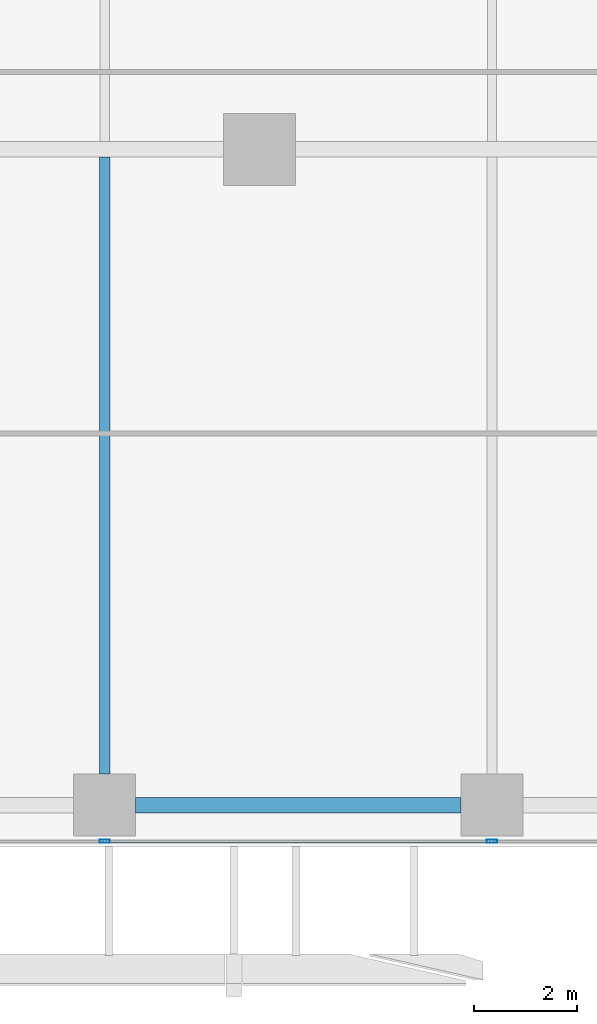
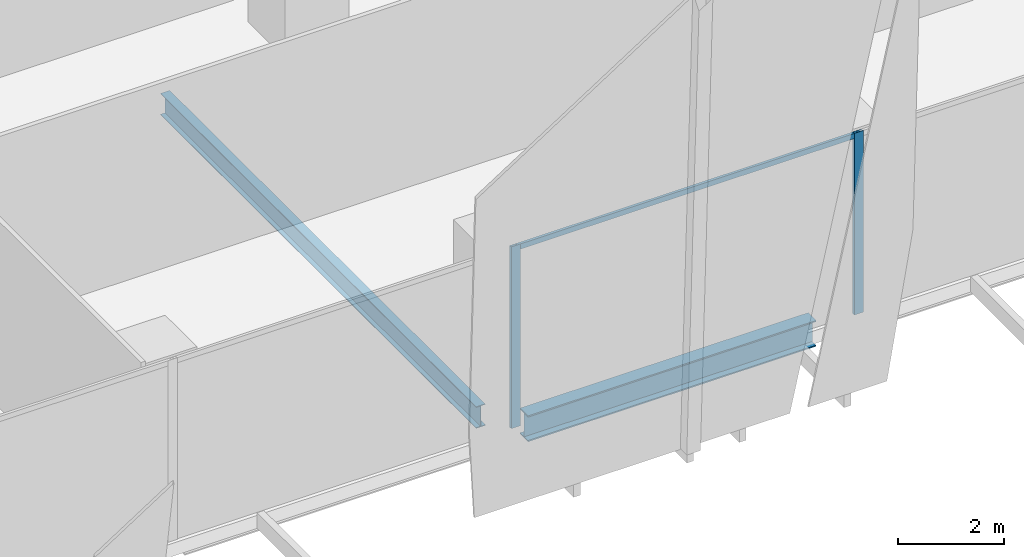
# One storey, part 7 of 37: 3 members, 2 beams, 1 element without a shape of its own.
"""IFC4 building model written with IfcOpenShell, lengths in metres."""

from ifc_helpers import new_model, si_unit, direction, frame, origin, origin_2d, place, context, subcontext, project, spatial, hollow_rectangle, i_section, extrude, source, transform, mapped, material, material_profile, profile_set, type_object, element, aggregate, save


model = new_model("IFC4")

# Units and contexts
model_context = context("Model", 3, precision=1e-05, world=origin(), true_north=direction((0.0, 1.0)))
body_context = subcontext(model_context, "Body", "Model", "MODEL_VIEW")
ifc_project = project(units=[si_unit("LENGTHUNIT", "METRE"), si_unit("AREAUNIT", "SQUARE_METRE"), si_unit("VOLUMEUNIT", "CUBIC_METRE"), si_unit("PLANEANGLEUNIT", "RADIAN"), si_unit("MASSUNIT", "GRAM", prefix="KILO")], contexts=[model_context])

# Site, building, storey
site_placement = place(None, origin())
site = spatial("IfcSite", under=ifc_project, at=site_placement, CompositionType="ELEMENT")
building_placement = place(site_placement, origin())
building = spatial("IfcBuilding", under=site, at=building_placement, Name="Khomas Fold Tower", CompositionType="ELEMENT")
storey_placement = place(building_placement, frame((0.0, 0.0, 60.0)))
storey = spatial("IfcBuildingStorey", under=building, at=storey_placement, Name="L12", CompositionType="ELEMENT", Elevation=60.0)

# Beams
ifc_material_1 = material(Name="Steel S355", Category="steel")
ifc_material_profile_1 = material_profile(ifc_material_1, i_section(OverallWidth=0.300048828125, OverallDepth=0.60009765625, WebThickness=0.015380859375, FlangeThickness=0.030029296875, at=origin_2d()), Name="HE 600 B")
ifc_profile_set_1 = profile_set([ifc_material_profile_1], Name="Steel S355")
beam_type_1 = type_object("IfcBeamType", Name="HE 600 B spandrel SB1", PredefinedType="SPANDREL", material=ifc_profile_set_1)
shared_shape_1 = source(origin(), body_context, "Body", "SweptSolid", [
    extrude(i_section(OverallWidth=0.300048828125, OverallDepth=0.60009765625, WebThickness=0.015380859375, FlangeThickness=0.030029296875, at=origin_2d()), origin(), (0.0, 0.0, 1.0), 6.2998046875),
])
beam_1_placement = place(storey_placement, frame((35.10009765625, 0.800048828125, -0.60009765625), z_axis=(1.0, 0.0, 0.0), x_axis=(0.0, 1.0, 0.0)))
element("IfcBeam", 1, at=beam_1_placement, inside=storey, type_object=beam_type_1, Name="SB1", PredefinedType="SPANDREL", context=body_context, shape_type="MappedRepresentation", body=[
    mapped(shared_shape_1, transform((0.0, 0.0, 0.0))),
])
ifc_material_2 = material(Name="Steel S355", Category="steel")
ifc_material_profile_2 = material_profile(ifc_material_2, i_section(OverallWidth=0.199951171875, OverallDepth=0.5, WebThickness=0.01025390625, FlangeThickness=0.01611328125, at=origin_2d()), Name="IPE 500")
ifc_profile_set_2 = profile_set([ifc_material_profile_2], Name="Steel S355")
beam_type_2 = type_object("IfcBeamType", Name="IPE 500 beam JB5", PredefinedType="BEAM", material=ifc_profile_set_2)
shared_shape_2 = source(origin(), body_context, "Body", "SweptSolid", [
    extrude(i_section(OverallWidth=0.199951171875, OverallDepth=0.5, WebThickness=0.01025390625, FlangeThickness=0.01611328125, at=origin_2d()), origin(), (0.0, 0.0, 1.0), 11.9501953125),
])
beam_2_placement = place(storey_placement, frame((34.5, 1.39990234375, -0.550048828125), z_axis=(0.0, 1.0, 0.0), x_axis=(-1.0, 0.0, 0.0)))
element("IfcBeam", 2, at=beam_2_placement, inside=storey, type_object=beam_type_2, Name="JB5", PredefinedType="BEAM", context=body_context, shape_type="MappedRepresentation", body=[
    mapped(shared_shape_2, transform((0.0, 0.0, 0.0))),
])

# Curtain wall, members
ifc_material_3 = material(Name="Aluminium framed double glazing", Category="aluminium")
curtain_wall_type = type_object("IfcCurtainWallType", Name="SK-Unitised clear-glass wall, growing floors CW1", PredefinedType="NOTDEFINED", material=ifc_material_3)
curtain_wall_placement = place(storey_placement, origin())
curtain_wall = element("IfcCurtainWall", 3, at=curtain_wall_placement, inside=storey, type_object=curtain_wall_type, Name="CW1 run L12 00-0", PredefinedType="NOTDEFINED")
ifc_material_4 = material(Name="Aluminium", Category="aluminium")
ifc_material_profile_3 = material_profile(ifc_material_4, hollow_rectangle(XDim=0.06005859375, YDim=0.1201171875, WallThickness=0.00390625, at=origin_2d()), Name="SK-Unitised clear-glass wall, growing floors transom CW1-T")
ifc_profile_set_3 = profile_set([ifc_material_profile_3], Name="Aluminium")
member_type_1 = type_object("IfcMemberType", Name="SK-Unitised clear-glass wall, growing floors transom CW1-T", PredefinedType="USERDEFINED", material=ifc_profile_set_3)
shared_shape_3 = source(origin(), body_context, "Body", "SweptSolid", [
    extrude(hollow_rectangle(XDim=0.06005859375, YDim=0.1201171875, WallThickness=0.00390625, at=origin_2d()), origin(), (0.0, 0.0, 1.0), 7.43994140625),
])
member_1_placement = place(storey_placement, frame((34.530029296875, 0.10009765625, 4.139892578125), z_axis=(1.0, 0.0, 0.0), x_axis=(0.0, 1.0, 0.0)))
member_1 = element("IfcMember", 4, at=member_1_placement, type_object=member_type_1, Name="CW1 transom 6", ObjectType="TRANSOM", PredefinedType="USERDEFINED", context=body_context, shape_type="MappedRepresentation", body=[
    mapped(shared_shape_3, transform((0.0, 0.0, 0.0))),
])
ifc_material_5 = material(Name="Aluminium", Category="aluminium")
ifc_material_profile_4 = material_profile(ifc_material_5, hollow_rectangle(XDim=0.06005859375, YDim=0.199951171875, WallThickness=0.00390625, at=origin_2d()), Name="SK-Unitised clear-glass wall, growing floors mullion CW1-M")
ifc_profile_set_4 = profile_set([ifc_material_profile_4], Name="Aluminium")
member_type_2 = type_object("IfcMemberType", Name="SK-Unitised clear-glass wall, growing floors mullion CW1-M", PredefinedType="MULLION", material=ifc_profile_set_4)
shared_shape_4 = source(origin(), body_context, "Body", "SweptSolid", [
    extrude(hollow_rectangle(XDim=0.06005859375, YDim=0.199951171875, WallThickness=0.00390625, at=origin_2d()), origin(), (0.0, 0.0, 1.0), 4.199951171875),
])
member_2_placement = place(storey_placement, frame((34.5, 0.10009765625, 0.0), z_axis=(0.0, 0.0, 1.0), x_axis=(0.0, 1.0, 0.0)))
member_2 = element("IfcMember", 5, at=member_2_placement, type_object=member_type_2, Name="CW1 mullion 6", PredefinedType="MULLION", context=body_context, shape_type="MappedRepresentation", body=[
    mapped(shared_shape_4, transform((0.0, 0.0, 0.0))),
])
member_3_placement = place(storey_placement, frame((42.0, 0.10009765625, 0.0), z_axis=(0.0, 0.0, 1.0), x_axis=(0.0, 1.0, 0.0)))
member_3 = element("IfcMember", 6, at=member_3_placement, type_object=member_type_2, Name="CW1 mullion 7", PredefinedType="MULLION", context=body_context, shape_type="MappedRepresentation", body=[
    mapped(shared_shape_4, transform((0.0, 0.0, 0.0))),
])
aggregate(curtain_wall, [member_2, member_3, member_1])

save(model, "model.ifc")
